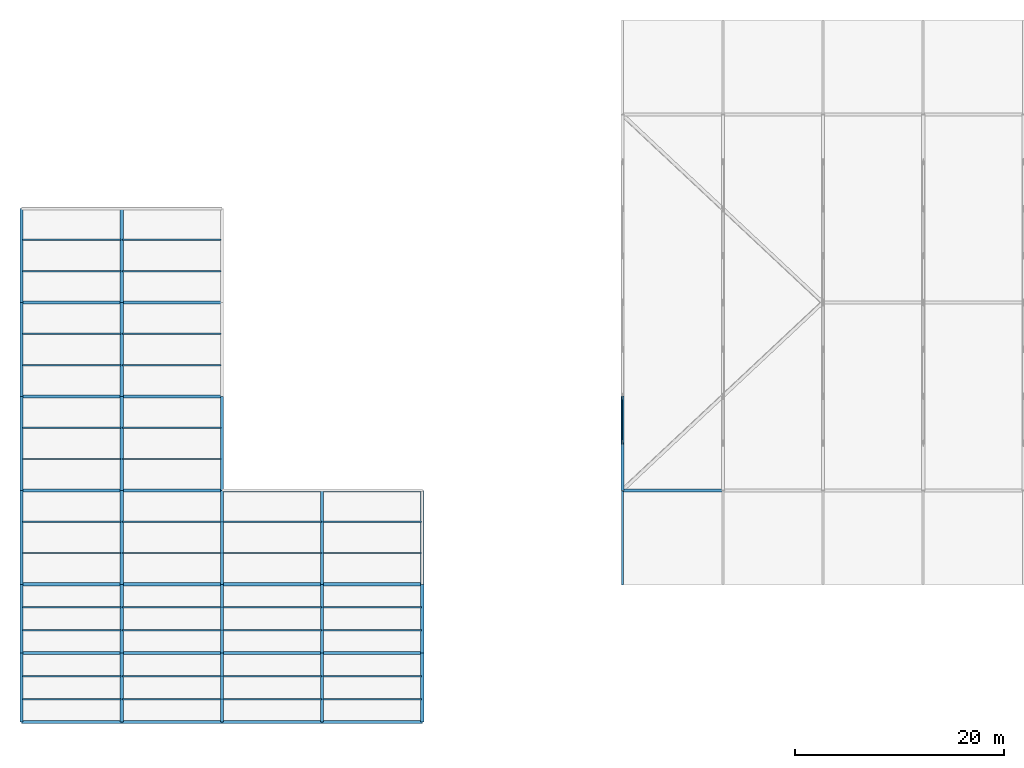
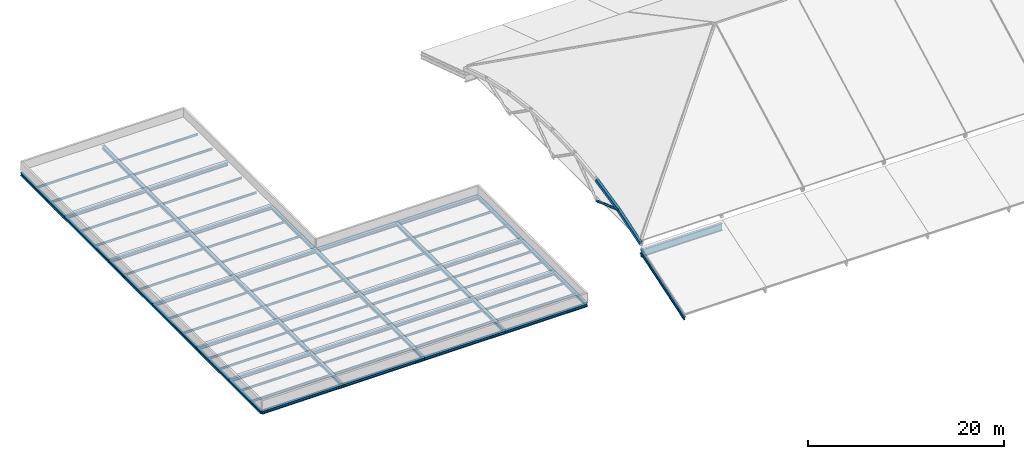
# One storey, part 1 of 16: 80 beams, 3 members.
"""IFC4 building model written with IfcOpenShell, lengths in metres."""

from ifc_helpers import new_model, si_unit, direction, frame, origin, origin_2d, place, context, subcontext, project, spatial, hollow_rectangle, hollow_circle, i_section, extrude, material, material_profile, profile_set, type_object, element, save


model = new_model("IFC4")

# Units and contexts
model_context = context("Model", 3, precision=1e-05, world=origin(), true_north=direction((0.0, 1.0)))
body_context = subcontext(model_context, "Body", "Model", "MODEL_VIEW")
ifc_project = project(units=[si_unit("LENGTHUNIT", "METRE"), si_unit("AREAUNIT", "SQUARE_METRE"), si_unit("VOLUMEUNIT", "CUBIC_METRE"), si_unit("PLANEANGLEUNIT", "RADIAN"), si_unit("MASSUNIT", "GRAM", prefix="KILO")], contexts=[model_context])

# Site, building, storey
site_placement = place(None, origin())
site = spatial("IfcSite", under=ifc_project, at=site_placement, CompositionType="ELEMENT")
building_placement = place(site_placement, origin())
building = spatial("IfcBuilding", under=site, at=building_placement, Name="Zarnetskaya Central Station", CompositionType="ELEMENT")
storey_placement = place(building_placement, frame((0.0, 0.0, 27.0)))
storey = spatial("IfcBuildingStorey", under=building, at=storey_placement, Name="RF", CompositionType="ELEMENT", Elevation=27.0)

# Beams
ifc_material = material(Name="Steel S355", Category="steel")
ifc_material_profile_1 = material_profile(ifc_material, i_section(OverallWidth=0.18994140625, OverallDepth=0.449951171875, WebThickness=0.009521484375, FlangeThickness=0.0146484375, FilletRadius=0.02099609375, at=origin_2d()), Name="IPE 450")
ifc_profile_set_1 = profile_set([ifc_material_profile_1], Name="Steel S355")
beam_type_1 = type_object("IfcBeamType", Name="BM-EAVE-RAKER", PredefinedType="BEAM", material=ifc_profile_set_1)
beam_1_placement = place(storey_placement, frame((57.60009765625, 13.199951171875, -16.85009765625), z_axis=(0.0, 0.951184133272, 0.308623953398), x_axis=(-1.0, 0.0, 0.0)))
element("IfcBeam", 1, at=beam_1_placement, inside=storey, type_object=beam_type_1, Name="Hall south eave raker G", PredefinedType="BEAM", context=body_context, shape_type="SweptSolid", body=[
    extrude(i_section(OverallWidth=0.18994140625, OverallDepth=0.449951171875, WebThickness=0.009521484375, FlangeThickness=0.0146484375, FilletRadius=0.02099609375, at=origin_2d()), origin(), (0.0, 0.0, 1.0), 9.4619140625),
])
ifc_material_profile_2 = material_profile(ifc_material, i_section(OverallWidth=0.135009765625, OverallDepth=0.27001953125, WebThickness=0.006591796875, FlangeThickness=0.01025390625, FilletRadius=0.014892578125, at=origin_2d()), Name="IPE 270")
ifc_profile_set_2 = profile_set([ifc_material_profile_2], Name="Steel S355")
beam_type_2 = type_object("IfcBeamType", Name="BM-JST-270", PredefinedType="JOIST", material=ifc_profile_set_2)
for number, where, z_axis, x_axis, name in (
    (2, (0.080078125, 2.199951171875, -0.344970703125), (1.0, 0.0, 0.0), (0.0, 1.0, 0.0), "Secondary floor beam SEC-RF-Z2679-AB-12-1"),
    (3, (0.080078125, 4.39990234375, -0.344970703125), (1.0, 0.0, 0.0), (0.0, 1.0, 0.0), "Secondary floor beam SEC-RF-Z2679-AB-12-2"),
    (4, (0.080078125, 8.800048828125, -0.344970703125), (1.0, 0.0, 0.0), (0.0, 1.0, 0.0), "Secondary floor beam SEC-RF-Z2679-AB-23-1"),
    (5, (0.080078125, 11.0, -0.344970703125), (1.0, 0.0, 0.0), (0.0, 1.0, 0.0), "Secondary floor beam SEC-RF-Z2679-AB-23-2"),
    (6, (0.080078125, 16.199951171875, -0.344970703125), (1.0, 0.0, 0.0), (0.0, 1.0, 0.0), "Secondary floor beam SEC-RF-Z2679-AB-34-1"),
    (7, (0.080078125, 19.199951171875, -0.344970703125), (1.0, 0.0, 0.0), (0.0, 1.0, 0.0), "Secondary floor beam SEC-RF-Z2679-AB-34-2"),
    (8, (0.080078125, 25.199951171875, -0.344970703125), (1.0, 0.0, 0.0), (0.0, 1.0, 0.0), "Secondary floor beam SEC-RF-Z2679-AB-45-1"),
    (9, (0.080078125, 28.199951171875, -0.344970703125), (1.0, 0.0, 0.0), (0.0, 1.0, 0.0), "Secondary floor beam SEC-RF-Z2679-AB-45-2"),
    (10, (0.080078125, 34.199951171875, -0.344970703125), (1.0, 0.0, 0.0), (0.0, 1.0, 0.0), "Secondary floor beam SEC-RF-Z2679-AB-56-1"),
    (11, (0.080078125, 37.199951171875, -0.344970703125), (1.0, 0.0, 0.0), (0.0, 1.0, 0.0), "Secondary floor beam SEC-RF-Z2679-AB-56-2"),
    (12, (0.080078125, 43.199951171875, -0.344970703125), (1.0, 0.0, 0.0), (0.0, 1.0, 0.0), "Secondary floor beam SEC-RF-Z2679-AB-67-1"),
    (13, (0.080078125, 46.199951171875, -0.344970703125), (1.0, 0.0, 0.0), (0.0, 1.0, 0.0), "Secondary floor beam SEC-RF-Z2679-AB-67-2"),
):
    element("IfcBeam", number, at=place(storey_placement, frame(where, z_axis=z_axis, x_axis=x_axis)), inside=storey, type_object=beam_type_2, Name=name, PredefinedType="JOIST", context=body_context, shape_type="SweptSolid", body=[
        extrude(i_section(OverallWidth=0.135009765625, OverallDepth=0.27001953125, WebThickness=0.006591796875, FlangeThickness=0.01025390625, FilletRadius=0.014892578125, at=origin_2d()), origin(), (0.0, 0.0, 1.0), 9.43994140625),
    ])
for number, where, z_axis, x_axis, name in (
    (14, (9.679931640625, 2.199951171875, -0.344970703125), (1.0, 0.0, 0.0), (0.0, 1.0, 0.0), "Secondary floor beam SEC-RF-Z2679-BC-12-1"),
    (15, (9.679931640625, 4.39990234375, -0.344970703125), (1.0, 0.0, 0.0), (0.0, 1.0, 0.0), "Secondary floor beam SEC-RF-Z2679-BC-12-2"),
    (16, (9.679931640625, 8.800048828125, -0.344970703125), (1.0, 0.0, 0.0), (0.0, 1.0, 0.0), "Secondary floor beam SEC-RF-Z2679-BC-23-1"),
    (17, (9.679931640625, 11.0, -0.344970703125), (1.0, 0.0, 0.0), (0.0, 1.0, 0.0), "Secondary floor beam SEC-RF-Z2679-BC-23-2"),
    (18, (9.679931640625, 16.199951171875, -0.344970703125), (1.0, 0.0, 0.0), (0.0, 1.0, 0.0), "Secondary floor beam SEC-RF-Z2679-BC-34-1"),
    (19, (9.679931640625, 19.199951171875, -0.344970703125), (1.0, 0.0, 0.0), (0.0, 1.0, 0.0), "Secondary floor beam SEC-RF-Z2679-BC-34-2"),
    (20, (9.679931640625, 25.199951171875, -0.344970703125), (1.0, 0.0, 0.0), (0.0, 1.0, 0.0), "Secondary floor beam SEC-RF-Z2679-BC-45-1"),
    (21, (9.679931640625, 28.199951171875, -0.344970703125), (1.0, 0.0, 0.0), (0.0, 1.0, 0.0), "Secondary floor beam SEC-RF-Z2679-BC-45-2"),
    (22, (9.679931640625, 34.199951171875, -0.344970703125), (1.0, 0.0, 0.0), (0.0, 1.0, 0.0), "Secondary floor beam SEC-RF-Z2679-BC-56-1"),
    (23, (9.679931640625, 37.199951171875, -0.344970703125), (1.0, 0.0, 0.0), (0.0, 1.0, 0.0), "Secondary floor beam SEC-RF-Z2679-BC-56-2"),
    (24, (9.679931640625, 43.199951171875, -0.344970703125), (1.0, 0.0, 0.0), (0.0, 1.0, 0.0), "Secondary floor beam SEC-RF-Z2679-BC-67-1"),
    (25, (9.679931640625, 46.199951171875, -0.344970703125), (1.0, 0.0, 0.0), (0.0, 1.0, 0.0), "Secondary floor beam SEC-RF-Z2679-BC-67-2"),
):
    element("IfcBeam", number, at=place(storey_placement, frame(where, z_axis=z_axis, x_axis=x_axis)), inside=storey, type_object=beam_type_2, Name=name, PredefinedType="JOIST", context=body_context, shape_type="SweptSolid", body=[
        extrude(i_section(OverallWidth=0.135009765625, OverallDepth=0.27001953125, WebThickness=0.006591796875, FlangeThickness=0.01025390625, FilletRadius=0.014892578125, at=origin_2d()), origin(), (0.0, 0.0, 1.0), 9.440185546875),
    ])
for number, where, z_axis, x_axis, name in (
    (26, (19.280029296875, 2.199951171875, -0.344970703125), (1.0, 0.0, 0.0), (0.0, 1.0, 0.0), "Secondary floor beam SEC-RF-Z2679-CD-12-1"),
    (27, (19.280029296875, 4.39990234375, -0.344970703125), (1.0, 0.0, 0.0), (0.0, 1.0, 0.0), "Secondary floor beam SEC-RF-Z2679-CD-12-2"),
    (28, (19.280029296875, 8.800048828125, -0.344970703125), (1.0, 0.0, 0.0), (0.0, 1.0, 0.0), "Secondary floor beam SEC-RF-Z2679-CD-23-1"),
    (29, (19.280029296875, 11.0, -0.344970703125), (1.0, 0.0, 0.0), (0.0, 1.0, 0.0), "Secondary floor beam SEC-RF-Z2679-CD-23-2"),
    (30, (19.280029296875, 16.199951171875, -0.344970703125), (1.0, 0.0, 0.0), (0.0, 1.0, 0.0), "Secondary floor beam SEC-RF-Z2679-CD-34-1"),
    (31, (19.280029296875, 19.199951171875, -0.344970703125), (1.0, 0.0, 0.0), (0.0, 1.0, 0.0), "Secondary floor beam SEC-RF-Z2679-CD-34-2"),
):
    element("IfcBeam", number, at=place(storey_placement, frame(where, z_axis=z_axis, x_axis=x_axis)), inside=storey, type_object=beam_type_2, Name=name, PredefinedType="JOIST", context=body_context, shape_type="SweptSolid", body=[
        extrude(i_section(OverallWidth=0.135009765625, OverallDepth=0.27001953125, WebThickness=0.006591796875, FlangeThickness=0.01025390625, FilletRadius=0.014892578125, at=origin_2d()), origin(), (0.0, 0.0, 1.0), 9.43994140625),
    ])
for number, where, z_axis, x_axis, name in (
    (32, (28.8798828125, 2.199951171875, -0.344970703125), (1.0, 0.0, 0.0), (0.0, 1.0, 0.0), "Secondary floor beam SEC-RF-Z2679-DE-12-1"),
    (33, (28.8798828125, 4.39990234375, -0.344970703125), (1.0, 0.0, 0.0), (0.0, 1.0, 0.0), "Secondary floor beam SEC-RF-Z2679-DE-12-2"),
    (34, (28.8798828125, 8.800048828125, -0.344970703125), (1.0, 0.0, 0.0), (0.0, 1.0, 0.0), "Secondary floor beam SEC-RF-Z2679-DE-23-1"),
    (35, (28.8798828125, 11.0, -0.344970703125), (1.0, 0.0, 0.0), (0.0, 1.0, 0.0), "Secondary floor beam SEC-RF-Z2679-DE-23-2"),
    (36, (28.8798828125, 16.199951171875, -0.344970703125), (1.0, 0.0, 0.0), (0.0, 1.0, 0.0), "Secondary floor beam SEC-RF-Z2679-DE-34-1"),
    (37, (28.8798828125, 19.199951171875, -0.344970703125), (1.0, 0.0, 0.0), (0.0, 1.0, 0.0), "Secondary floor beam SEC-RF-Z2679-DE-34-2"),
):
    element("IfcBeam", number, at=place(storey_placement, frame(where, z_axis=z_axis, x_axis=x_axis)), inside=storey, type_object=beam_type_2, Name=name, PredefinedType="JOIST", context=body_context, shape_type="SweptSolid", body=[
        extrude(i_section(OverallWidth=0.135009765625, OverallDepth=0.27001953125, WebThickness=0.006591796875, FlangeThickness=0.01025390625, FilletRadius=0.014892578125, at=origin_2d()), origin(), (0.0, 0.0, 1.0), 9.440185546875),
    ])
ifc_material_profile_3 = material_profile(ifc_material, i_section(OverallWidth=0.300048828125, OverallDepth=0.35009765625, WebThickness=0.010009765625, FlangeThickness=0.017578125, FilletRadius=0.027099609375, at=origin_2d()), Name="HEA 360")
ifc_profile_set_3 = profile_set([ifc_material_profile_3], Name="Steel S355")
beam_type_3 = type_object("IfcBeamType", Name="BM-SPN-EAVE", PredefinedType="SPANDREL", material=ifc_profile_set_3)
beam_2_placement = place(storey_placement, frame((0.0, 0.0, -0.385009765625), z_axis=(0.0, 1.0, 0.0), x_axis=(-1.0, 0.0, 0.0)))
element("IfcBeam", 38, at=beam_2_placement, inside=storey, type_object=beam_type_3, Name="Grid girder GY-RF-A-12", PredefinedType="SPANDREL", context=body_context, shape_type="SweptSolid", body=[
    extrude(i_section(OverallWidth=0.300048828125, OverallDepth=0.35009765625, WebThickness=0.010009765625, FlangeThickness=0.017578125, FilletRadius=0.027099609375, at=origin_2d()), origin(), (0.0, 0.0, 1.0), 6.60009765625),
])
beam_3_placement = place(storey_placement, frame((0.0, 0.0, -0.385009765625), z_axis=(1.0, 0.0, 0.0), x_axis=(0.0, 1.0, 0.0)))
element("IfcBeam", 39, at=beam_3_placement, inside=storey, type_object=beam_type_3, Name="Grid girder GX-RF-1-AB", PredefinedType="SPANDREL", context=body_context, shape_type="SweptSolid", body=[
    extrude(i_section(OverallWidth=0.300048828125, OverallDepth=0.35009765625, WebThickness=0.010009765625, FlangeThickness=0.017578125, FilletRadius=0.027099609375, at=origin_2d()), origin(), (0.0, 0.0, 1.0), 9.60009765625),
])
beam_4_placement = place(storey_placement, frame((0.0, 6.60009765625, -0.385009765625), z_axis=(0.0, 1.0, 0.0), x_axis=(-1.0, 0.0, 0.0)))
element("IfcBeam", 40, at=beam_4_placement, inside=storey, type_object=beam_type_3, Name="Grid girder GY-RF-A-23", PredefinedType="SPANDREL", context=body_context, shape_type="SweptSolid", body=[
    extrude(i_section(OverallWidth=0.300048828125, OverallDepth=0.35009765625, WebThickness=0.010009765625, FlangeThickness=0.017578125, FilletRadius=0.027099609375, at=origin_2d()), origin(), (0.0, 0.0, 1.0), 6.599853515625),
])
for number, where, z_axis, x_axis, name in (
    (41, (0.0, 13.199951171875, -0.385009765625), (0.0, 1.0, 0.0), (-1.0, 0.0, 0.0), "Grid girder GY-RF-A-34"),
    (42, (0.0, 22.199951171875, -0.385009765625), (0.0, 1.0, 0.0), (-1.0, 0.0, 0.0), "Grid girder GY-RF-A-45"),
    (43, (0.0, 31.199951171875, -0.385009765625), (0.0, 1.0, 0.0), (-1.0, 0.0, 0.0), "Grid girder GY-RF-A-56"),
    (44, (0.0, 40.199951171875, -0.385009765625), (0.0, 1.0, 0.0), (-1.0, 0.0, 0.0), "Grid girder GY-RF-A-67"),
):
    element("IfcBeam", number, at=place(storey_placement, frame(where, z_axis=z_axis, x_axis=x_axis)), inside=storey, type_object=beam_type_3, Name=name, PredefinedType="SPANDREL", context=body_context, shape_type="SweptSolid", body=[
        extrude(i_section(OverallWidth=0.300048828125, OverallDepth=0.35009765625, WebThickness=0.010009765625, FlangeThickness=0.017578125, FilletRadius=0.027099609375, at=origin_2d()), origin(), (0.0, 0.0, 1.0), 9.0),
    ])
beam_5_placement = place(storey_placement, frame((9.60009765625, 0.0, -0.385009765625), z_axis=(1.0, 0.0, 0.0), x_axis=(0.0, 1.0, 0.0)))
element("IfcBeam", 45, at=beam_5_placement, inside=storey, type_object=beam_type_3, Name="Grid girder GX-RF-1-BC", PredefinedType="SPANDREL", context=body_context, shape_type="SweptSolid", body=[
    extrude(i_section(OverallWidth=0.300048828125, OverallDepth=0.35009765625, WebThickness=0.010009765625, FlangeThickness=0.017578125, FilletRadius=0.027099609375, at=origin_2d()), origin(), (0.0, 0.0, 1.0), 9.599853515625),
])
beam_6_placement = place(storey_placement, frame((19.199951171875, 0.0, -0.385009765625), z_axis=(1.0, 0.0, 0.0), x_axis=(0.0, 1.0, 0.0)))
element("IfcBeam", 46, at=beam_6_placement, inside=storey, type_object=beam_type_3, Name="Grid girder GX-RF-1-CD", PredefinedType="SPANDREL", context=body_context, shape_type="SweptSolid", body=[
    extrude(i_section(OverallWidth=0.300048828125, OverallDepth=0.35009765625, WebThickness=0.010009765625, FlangeThickness=0.017578125, FilletRadius=0.027099609375, at=origin_2d()), origin(), (0.0, 0.0, 1.0), 9.60009765625),
])
beam_7_placement = place(storey_placement, frame((28.800048828125, 0.0, -0.385009765625), z_axis=(1.0, 0.0, 0.0), x_axis=(0.0, 1.0, 0.0)))
element("IfcBeam", 47, at=beam_7_placement, inside=storey, type_object=beam_type_3, Name="Grid girder GX-RF-1-DE", PredefinedType="SPANDREL", context=body_context, shape_type="SweptSolid", body=[
    extrude(i_section(OverallWidth=0.300048828125, OverallDepth=0.35009765625, WebThickness=0.010009765625, FlangeThickness=0.017578125, FilletRadius=0.027099609375, at=origin_2d()), origin(), (0.0, 0.0, 1.0), 9.599853515625),
])
ifc_material_profile_4 = material_profile(ifc_material, i_section(OverallWidth=0.300048828125, OverallDepth=0.89990234375, WebThickness=0.0185546875, FlangeThickness=0.034912109375, FilletRadius=0.030029296875, at=origin_2d()), Name="HEB 900")
ifc_profile_set_4 = profile_set([ifc_material_profile_4], Name="Steel S355")
beam_type_4 = type_object("IfcBeamType", Name="GD-HALL-RING", PredefinedType="USERDEFINED", material=ifc_profile_set_4)
beam_8_placement = place(storey_placement, frame((57.60009765625, 22.199951171875, -14.1298828125), z_axis=(1.0, 0.0, 0.0), x_axis=(0.0, 1.0, 0.0)))
element("IfcBeam", 48, at=beam_8_placement, inside=storey, type_object=beam_type_4, Name="Hall south ring girder GD-RING-S-GH", ObjectType="GIRDER", PredefinedType="USERDEFINED", context=body_context, shape_type="SweptSolid", body=[
    extrude(i_section(OverallWidth=0.300048828125, OverallDepth=0.89990234375, WebThickness=0.0185546875, FlangeThickness=0.034912109375, FilletRadius=0.030029296875, at=origin_2d()), origin(), (0.0, 0.0, 1.0), 9.599853515625),
])
ifc_material_profile_5 = material_profile(ifc_material, i_section(OverallWidth=0.300048828125, OverallDepth=0.389892578125, WebThickness=0.010986328125, FlangeThickness=0.01904296875, FilletRadius=0.027099609375, at=origin_2d()), Name="HEA 400")
ifc_profile_set_5 = profile_set([ifc_material_profile_5], Name="Steel S355")
beam_type_5 = type_object("IfcBeamType", Name="GD-ROOF-400", PredefinedType="USERDEFINED", material=ifc_profile_set_5)
for number, where, z_axis, x_axis, name in (
    (49, (0.0, 6.60009765625, -0.405029296875), (1.0, 0.0, 0.0), (0.0, 1.0, 0.0), "Grid girder GX-RF-2-AB"),
    (50, (0.0, 13.199951171875, -0.405029296875), (1.0, 0.0, 0.0), (0.0, 1.0, 0.0), "Grid girder GX-RF-3-AB"),
    (51, (0.0, 22.199951171875, -0.405029296875), (1.0, 0.0, 0.0), (0.0, 1.0, 0.0), "Grid girder GX-RF-4-AB"),
    (52, (0.0, 31.199951171875, -0.405029296875), (1.0, 0.0, 0.0), (0.0, 1.0, 0.0), "Grid girder GX-RF-5-AB"),
    (53, (0.0, 40.199951171875, -0.405029296875), (1.0, 0.0, 0.0), (0.0, 1.0, 0.0), "Grid girder GX-RF-6-AB"),
):
    element("IfcBeam", number, at=place(storey_placement, frame(where, z_axis=z_axis, x_axis=x_axis)), inside=storey, type_object=beam_type_5, Name=name, ObjectType="GIRDER", PredefinedType="USERDEFINED", context=body_context, shape_type="SweptSolid", body=[
        extrude(i_section(OverallWidth=0.300048828125, OverallDepth=0.389892578125, WebThickness=0.010986328125, FlangeThickness=0.01904296875, FilletRadius=0.027099609375, at=origin_2d()), origin(), (0.0, 0.0, 1.0), 9.60009765625),
    ])
beam_9_placement = place(storey_placement, frame((9.60009765625, 0.0, -0.405029296875), z_axis=(0.0, 1.0, 0.0), x_axis=(-1.0, 0.0, 0.0)))
element("IfcBeam", 54, at=beam_9_placement, inside=storey, type_object=beam_type_5, Name="Grid girder GY-RF-B-12", ObjectType="GIRDER", PredefinedType="USERDEFINED", context=body_context, shape_type="SweptSolid", body=[
    extrude(i_section(OverallWidth=0.300048828125, OverallDepth=0.389892578125, WebThickness=0.010986328125, FlangeThickness=0.01904296875, FilletRadius=0.027099609375, at=origin_2d()), origin(), (0.0, 0.0, 1.0), 6.60009765625),
])
beam_10_placement = place(storey_placement, frame((9.60009765625, 6.60009765625, -0.405029296875), z_axis=(0.0, 1.0, 0.0), x_axis=(-1.0, 0.0, 0.0)))
element("IfcBeam", 55, at=beam_10_placement, inside=storey, type_object=beam_type_5, Name="Grid girder GY-RF-B-23", ObjectType="GIRDER", PredefinedType="USERDEFINED", context=body_context, shape_type="SweptSolid", body=[
    extrude(i_section(OverallWidth=0.300048828125, OverallDepth=0.389892578125, WebThickness=0.010986328125, FlangeThickness=0.01904296875, FilletRadius=0.027099609375, at=origin_2d()), origin(), (0.0, 0.0, 1.0), 6.599853515625),
])
beam_11_placement = place(storey_placement, frame((9.60009765625, 6.60009765625, -0.405029296875), z_axis=(1.0, 0.0, 0.0), x_axis=(0.0, 1.0, 0.0)))
element("IfcBeam", 56, at=beam_11_placement, inside=storey, type_object=beam_type_5, Name="Grid girder GX-RF-2-BC", ObjectType="GIRDER", PredefinedType="USERDEFINED", context=body_context, shape_type="SweptSolid", body=[
    extrude(i_section(OverallWidth=0.300048828125, OverallDepth=0.389892578125, WebThickness=0.010986328125, FlangeThickness=0.01904296875, FilletRadius=0.027099609375, at=origin_2d()), origin(), (0.0, 0.0, 1.0), 9.599853515625),
])
beam_12_placement = place(storey_placement, frame((9.60009765625, 13.199951171875, -0.405029296875), z_axis=(0.0, 1.0, 0.0), x_axis=(-1.0, 0.0, 0.0)))
element("IfcBeam", 57, at=beam_12_placement, inside=storey, type_object=beam_type_5, Name="Grid girder GY-RF-B-34", ObjectType="GIRDER", PredefinedType="USERDEFINED", context=body_context, shape_type="SweptSolid", body=[
    extrude(i_section(OverallWidth=0.300048828125, OverallDepth=0.389892578125, WebThickness=0.010986328125, FlangeThickness=0.01904296875, FilletRadius=0.027099609375, at=origin_2d()), origin(), (0.0, 0.0, 1.0), 9.0),
])
beam_13_placement = place(storey_placement, frame((9.60009765625, 13.199951171875, -0.405029296875), z_axis=(1.0, 0.0, 0.0), x_axis=(0.0, 1.0, 0.0)))
element("IfcBeam", 58, at=beam_13_placement, inside=storey, type_object=beam_type_5, Name="Grid girder GX-RF-3-BC", ObjectType="GIRDER", PredefinedType="USERDEFINED", context=body_context, shape_type="SweptSolid", body=[
    extrude(i_section(OverallWidth=0.300048828125, OverallDepth=0.389892578125, WebThickness=0.010986328125, FlangeThickness=0.01904296875, FilletRadius=0.027099609375, at=origin_2d()), origin(), (0.0, 0.0, 1.0), 9.599853515625),
])
beam_14_placement = place(storey_placement, frame((9.60009765625, 22.199951171875, -0.405029296875), z_axis=(0.0, 1.0, 0.0), x_axis=(-1.0, 0.0, 0.0)))
element("IfcBeam", 59, at=beam_14_placement, inside=storey, type_object=beam_type_5, Name="Grid girder GY-RF-B-45", ObjectType="GIRDER", PredefinedType="USERDEFINED", context=body_context, shape_type="SweptSolid", body=[
    extrude(i_section(OverallWidth=0.300048828125, OverallDepth=0.389892578125, WebThickness=0.010986328125, FlangeThickness=0.01904296875, FilletRadius=0.027099609375, at=origin_2d()), origin(), (0.0, 0.0, 1.0), 9.0),
])
beam_15_placement = place(storey_placement, frame((9.60009765625, 22.199951171875, -0.405029296875), z_axis=(1.0, 0.0, 0.0), x_axis=(0.0, 1.0, 0.0)))
element("IfcBeam", 60, at=beam_15_placement, inside=storey, type_object=beam_type_5, Name="Grid girder GX-RF-4-BC", ObjectType="GIRDER", PredefinedType="USERDEFINED", context=body_context, shape_type="SweptSolid", body=[
    extrude(i_section(OverallWidth=0.300048828125, OverallDepth=0.389892578125, WebThickness=0.010986328125, FlangeThickness=0.01904296875, FilletRadius=0.027099609375, at=origin_2d()), origin(), (0.0, 0.0, 1.0), 9.599853515625),
])
beam_16_placement = place(storey_placement, frame((9.60009765625, 31.199951171875, -0.405029296875), z_axis=(0.0, 1.0, 0.0), x_axis=(-1.0, 0.0, 0.0)))
element("IfcBeam", 61, at=beam_16_placement, inside=storey, type_object=beam_type_5, Name="Grid girder GY-RF-B-56", ObjectType="GIRDER", PredefinedType="USERDEFINED", context=body_context, shape_type="SweptSolid", body=[
    extrude(i_section(OverallWidth=0.300048828125, OverallDepth=0.389892578125, WebThickness=0.010986328125, FlangeThickness=0.01904296875, FilletRadius=0.027099609375, at=origin_2d()), origin(), (0.0, 0.0, 1.0), 9.0),
])
beam_17_placement = place(storey_placement, frame((9.60009765625, 31.199951171875, -0.405029296875), z_axis=(1.0, 0.0, 0.0), x_axis=(0.0, 1.0, 0.0)))
element("IfcBeam", 62, at=beam_17_placement, inside=storey, type_object=beam_type_5, Name="Grid girder GX-RF-5-BC", ObjectType="GIRDER", PredefinedType="USERDEFINED", context=body_context, shape_type="SweptSolid", body=[
    extrude(i_section(OverallWidth=0.300048828125, OverallDepth=0.389892578125, WebThickness=0.010986328125, FlangeThickness=0.01904296875, FilletRadius=0.027099609375, at=origin_2d()), origin(), (0.0, 0.0, 1.0), 9.599853515625),
])
beam_18_placement = place(storey_placement, frame((9.60009765625, 40.199951171875, -0.405029296875), z_axis=(0.0, 1.0, 0.0), x_axis=(-1.0, 0.0, 0.0)))
element("IfcBeam", 63, at=beam_18_placement, inside=storey, type_object=beam_type_5, Name="Grid girder GY-RF-B-67", ObjectType="GIRDER", PredefinedType="USERDEFINED", context=body_context, shape_type="SweptSolid", body=[
    extrude(i_section(OverallWidth=0.300048828125, OverallDepth=0.389892578125, WebThickness=0.010986328125, FlangeThickness=0.01904296875, FilletRadius=0.027099609375, at=origin_2d()), origin(), (0.0, 0.0, 1.0), 9.0),
])
beam_19_placement = place(storey_placement, frame((9.60009765625, 40.199951171875, -0.405029296875), z_axis=(1.0, 0.0, 0.0), x_axis=(0.0, 1.0, 0.0)))
element("IfcBeam", 64, at=beam_19_placement, inside=storey, type_object=beam_type_5, Name="Grid girder GX-RF-6-BC", ObjectType="GIRDER", PredefinedType="USERDEFINED", context=body_context, shape_type="SweptSolid", body=[
    extrude(i_section(OverallWidth=0.300048828125, OverallDepth=0.389892578125, WebThickness=0.010986328125, FlangeThickness=0.01904296875, FilletRadius=0.027099609375, at=origin_2d()), origin(), (0.0, 0.0, 1.0), 9.599853515625),
])
beam_20_placement = place(storey_placement, frame((19.199951171875, 0.0, -0.405029296875), z_axis=(0.0, 1.0, 0.0), x_axis=(-1.0, 0.0, 0.0)))
element("IfcBeam", 65, at=beam_20_placement, inside=storey, type_object=beam_type_5, Name="Grid girder GY-RF-C-12", ObjectType="GIRDER", PredefinedType="USERDEFINED", context=body_context, shape_type="SweptSolid", body=[
    extrude(i_section(OverallWidth=0.300048828125, OverallDepth=0.389892578125, WebThickness=0.010986328125, FlangeThickness=0.01904296875, FilletRadius=0.027099609375, at=origin_2d()), origin(), (0.0, 0.0, 1.0), 6.60009765625),
])
beam_21_placement = place(storey_placement, frame((19.199951171875, 6.60009765625, -0.405029296875), z_axis=(0.0, 1.0, 0.0), x_axis=(-1.0, 0.0, 0.0)))
element("IfcBeam", 66, at=beam_21_placement, inside=storey, type_object=beam_type_5, Name="Grid girder GY-RF-C-23", ObjectType="GIRDER", PredefinedType="USERDEFINED", context=body_context, shape_type="SweptSolid", body=[
    extrude(i_section(OverallWidth=0.300048828125, OverallDepth=0.389892578125, WebThickness=0.010986328125, FlangeThickness=0.01904296875, FilletRadius=0.027099609375, at=origin_2d()), origin(), (0.0, 0.0, 1.0), 6.599853515625),
])
beam_22_placement = place(storey_placement, frame((19.199951171875, 6.60009765625, -0.405029296875), z_axis=(1.0, 0.0, 0.0), x_axis=(0.0, 1.0, 0.0)))
element("IfcBeam", 67, at=beam_22_placement, inside=storey, type_object=beam_type_5, Name="Grid girder GX-RF-2-CD", ObjectType="GIRDER", PredefinedType="USERDEFINED", context=body_context, shape_type="SweptSolid", body=[
    extrude(i_section(OverallWidth=0.300048828125, OverallDepth=0.389892578125, WebThickness=0.010986328125, FlangeThickness=0.01904296875, FilletRadius=0.027099609375, at=origin_2d()), origin(), (0.0, 0.0, 1.0), 9.60009765625),
])
beam_23_placement = place(storey_placement, frame((19.199951171875, 13.199951171875, -0.405029296875), z_axis=(0.0, 1.0, 0.0), x_axis=(-1.0, 0.0, 0.0)))
element("IfcBeam", 68, at=beam_23_placement, inside=storey, type_object=beam_type_5, Name="Grid girder GY-RF-C-34", ObjectType="GIRDER", PredefinedType="USERDEFINED", context=body_context, shape_type="SweptSolid", body=[
    extrude(i_section(OverallWidth=0.300048828125, OverallDepth=0.389892578125, WebThickness=0.010986328125, FlangeThickness=0.01904296875, FilletRadius=0.027099609375, at=origin_2d()), origin(), (0.0, 0.0, 1.0), 9.0),
])
beam_24_placement = place(storey_placement, frame((19.199951171875, 13.199951171875, -0.405029296875), z_axis=(1.0, 0.0, 0.0), x_axis=(0.0, 1.0, 0.0)))
element("IfcBeam", 69, at=beam_24_placement, inside=storey, type_object=beam_type_5, Name="Grid girder GX-RF-3-CD", ObjectType="GIRDER", PredefinedType="USERDEFINED", context=body_context, shape_type="SweptSolid", body=[
    extrude(i_section(OverallWidth=0.300048828125, OverallDepth=0.389892578125, WebThickness=0.010986328125, FlangeThickness=0.01904296875, FilletRadius=0.027099609375, at=origin_2d()), origin(), (0.0, 0.0, 1.0), 9.60009765625),
])
beam_25_placement = place(storey_placement, frame((19.199951171875, 22.199951171875, -0.405029296875), z_axis=(0.0, 1.0, 0.0), x_axis=(-1.0, 0.0, 0.0)))
element("IfcBeam", 70, at=beam_25_placement, inside=storey, type_object=beam_type_5, Name="Grid girder GY-RF-C-45", ObjectType="GIRDER", PredefinedType="USERDEFINED", context=body_context, shape_type="SweptSolid", body=[
    extrude(i_section(OverallWidth=0.300048828125, OverallDepth=0.389892578125, WebThickness=0.010986328125, FlangeThickness=0.01904296875, FilletRadius=0.027099609375, at=origin_2d()), origin(), (0.0, 0.0, 1.0), 9.0),
])
beam_26_placement = place(storey_placement, frame((19.199951171875, 22.199951171875, -0.405029296875), z_axis=(1.0, 0.0, 0.0), x_axis=(0.0, 1.0, 0.0)))
element("IfcBeam", 71, at=beam_26_placement, inside=storey, type_object=beam_type_5, Name="Grid girder GX-RF-4-CD", ObjectType="GIRDER", PredefinedType="USERDEFINED", context=body_context, shape_type="SweptSolid", body=[
    extrude(i_section(OverallWidth=0.300048828125, OverallDepth=0.389892578125, WebThickness=0.010986328125, FlangeThickness=0.01904296875, FilletRadius=0.027099609375, at=origin_2d()), origin(), (0.0, 0.0, 1.0), 9.60009765625),
])
beam_27_placement = place(storey_placement, frame((28.800048828125, 0.0, -0.405029296875), z_axis=(0.0, 1.0, 0.0), x_axis=(-1.0, 0.0, 0.0)))
element("IfcBeam", 72, at=beam_27_placement, inside=storey, type_object=beam_type_5, Name="Grid girder GY-RF-D-12", ObjectType="GIRDER", PredefinedType="USERDEFINED", context=body_context, shape_type="SweptSolid", body=[
    extrude(i_section(OverallWidth=0.300048828125, OverallDepth=0.389892578125, WebThickness=0.010986328125, FlangeThickness=0.01904296875, FilletRadius=0.027099609375, at=origin_2d()), origin(), (0.0, 0.0, 1.0), 6.60009765625),
])
beam_28_placement = place(storey_placement, frame((28.800048828125, 6.60009765625, -0.405029296875), z_axis=(0.0, 1.0, 0.0), x_axis=(-1.0, 0.0, 0.0)))
element("IfcBeam", 73, at=beam_28_placement, inside=storey, type_object=beam_type_5, Name="Grid girder GY-RF-D-23", ObjectType="GIRDER", PredefinedType="USERDEFINED", context=body_context, shape_type="SweptSolid", body=[
    extrude(i_section(OverallWidth=0.300048828125, OverallDepth=0.389892578125, WebThickness=0.010986328125, FlangeThickness=0.01904296875, FilletRadius=0.027099609375, at=origin_2d()), origin(), (0.0, 0.0, 1.0), 6.599853515625),
])
beam_29_placement = place(storey_placement, frame((28.800048828125, 6.60009765625, -0.405029296875), z_axis=(1.0, 0.0, 0.0), x_axis=(0.0, 1.0, 0.0)))
element("IfcBeam", 74, at=beam_29_placement, inside=storey, type_object=beam_type_5, Name="Grid girder GX-RF-2-DE", ObjectType="GIRDER", PredefinedType="USERDEFINED", context=body_context, shape_type="SweptSolid", body=[
    extrude(i_section(OverallWidth=0.300048828125, OverallDepth=0.389892578125, WebThickness=0.010986328125, FlangeThickness=0.01904296875, FilletRadius=0.027099609375, at=origin_2d()), origin(), (0.0, 0.0, 1.0), 9.599853515625),
])
beam_30_placement = place(storey_placement, frame((28.800048828125, 13.199951171875, -0.405029296875), z_axis=(0.0, 1.0, 0.0), x_axis=(-1.0, 0.0, 0.0)))
element("IfcBeam", 75, at=beam_30_placement, inside=storey, type_object=beam_type_5, Name="Grid girder GY-RF-D-34", ObjectType="GIRDER", PredefinedType="USERDEFINED", context=body_context, shape_type="SweptSolid", body=[
    extrude(i_section(OverallWidth=0.300048828125, OverallDepth=0.389892578125, WebThickness=0.010986328125, FlangeThickness=0.01904296875, FilletRadius=0.027099609375, at=origin_2d()), origin(), (0.0, 0.0, 1.0), 9.0),
])
for number, where, z_axis, x_axis, name in (
    (76, (28.800048828125, 13.199951171875, -0.405029296875), (1.0, 0.0, 0.0), (0.0, 1.0, 0.0), "Grid girder GX-RF-3-DE"),
    (77, (28.800048828125, 22.199951171875, -0.405029296875), (1.0, 0.0, 0.0), (0.0, 1.0, 0.0), "Grid girder GX-RF-4-DE"),
):
    element("IfcBeam", number, at=place(storey_placement, frame(where, z_axis=z_axis, x_axis=x_axis)), inside=storey, type_object=beam_type_5, Name=name, ObjectType="GIRDER", PredefinedType="USERDEFINED", context=body_context, shape_type="SweptSolid", body=[
        extrude(i_section(OverallWidth=0.300048828125, OverallDepth=0.389892578125, WebThickness=0.010986328125, FlangeThickness=0.01904296875, FilletRadius=0.027099609375, at=origin_2d()), origin(), (0.0, 0.0, 1.0), 9.599853515625),
    ])
beam_31_placement = place(storey_placement, frame((38.39990234375, 0.0, -0.405029296875), z_axis=(0.0, 1.0, 0.0), x_axis=(-1.0, 0.0, 0.0)))
element("IfcBeam", 78, at=beam_31_placement, inside=storey, type_object=beam_type_5, Name="Grid girder GY-RF-E-12", ObjectType="GIRDER", PredefinedType="USERDEFINED", context=body_context, shape_type="SweptSolid", body=[
    extrude(i_section(OverallWidth=0.300048828125, OverallDepth=0.389892578125, WebThickness=0.010986328125, FlangeThickness=0.01904296875, FilletRadius=0.027099609375, at=origin_2d()), origin(), (0.0, 0.0, 1.0), 6.60009765625),
])
beam_32_placement = place(storey_placement, frame((38.39990234375, 6.60009765625, -0.405029296875), z_axis=(0.0, 1.0, 0.0), x_axis=(-1.0, 0.0, 0.0)))
element("IfcBeam", 79, at=beam_32_placement, inside=storey, type_object=beam_type_5, Name="Grid girder GY-RF-E-23", ObjectType="GIRDER", PredefinedType="USERDEFINED", context=body_context, shape_type="SweptSolid", body=[
    extrude(i_section(OverallWidth=0.300048828125, OverallDepth=0.389892578125, WebThickness=0.010986328125, FlangeThickness=0.01904296875, FilletRadius=0.027099609375, at=origin_2d()), origin(), (0.0, 0.0, 1.0), 6.599853515625),
])
beam_33_placement = place(storey_placement, frame((38.39990234375, 13.199951171875, -0.405029296875), z_axis=(0.0, 1.0, 0.0), x_axis=(-1.0, 0.0, 0.0)))
element("IfcBeam", 80, at=beam_33_placement, inside=storey, type_object=beam_type_5, Name="Grid girder GY-RF-E-34", ObjectType="GIRDER", PredefinedType="USERDEFINED", context=body_context, shape_type="SweptSolid", body=[
    extrude(i_section(OverallWidth=0.300048828125, OverallDepth=0.389892578125, WebThickness=0.010986328125, FlangeThickness=0.01904296875, FilletRadius=0.027099609375, at=origin_2d()), origin(), (0.0, 0.0, 1.0), 9.0),
])

# Members
ifc_material_profile_6 = material_profile(ifc_material, hollow_rectangle(XDim=0.300048828125, YDim=0.39990234375, WallThickness=0.01611328125, at=origin_2d()), Name="RHS 400x300x16")
ifc_profile_set_6 = profile_set([ifc_material_profile_6], Name="Steel S355")
member_type_1 = type_object("IfcMemberType", Name="MB-ARCH-CHORD", PredefinedType="CHORD", material=ifc_profile_set_6)
member_1_placement = place(storey_placement, frame((57.60009765625, 22.199951171875, -12.89990234375), z_axis=(0.0, 0.952936643217, 0.303169513662), x_axis=(-1.0, 0.0, 0.0)))
element("IfcMember", 81, at=member_1_placement, inside=storey, type_object=member_type_1, Name="ROOF TRUSS RT-01 arched chord 1", PredefinedType="CHORD", context=body_context, shape_type="SweptSolid", body=[
    extrude(hollow_rectangle(XDim=0.300048828125, YDim=0.39990234375, WallThickness=0.01611328125, at=origin_2d()), origin(), (0.0, 0.0, 1.0), 4.72216796875),
])
member_2_placement = place(storey_placement, frame((57.60009765625, 26.699951171875, -11.46826171875), z_axis=(0.0, 0.976265510247, 0.21657713061), x_axis=(-1.0, 0.0, 0.0)))
element("IfcMember", 82, at=member_2_placement, inside=storey, type_object=member_type_1, Name="ROOF TRUSS RT-01 arched chord 2", PredefinedType="CHORD", context=body_context, shape_type="SweptSolid", body=[
    extrude(hollow_rectangle(XDim=0.300048828125, YDim=0.39990234375, WallThickness=0.01611328125, at=origin_2d()), origin(), (0.0, 0.0, 1.0), 4.609375),
])
ifc_material_profile_7 = material_profile(ifc_material, hollow_circle(Radius=0.136474609375, WallThickness=0.012451171875, at=origin_2d()), Name="CHS 273x12.5")
ifc_profile_set_7 = profile_set([ifc_material_profile_7], Name="Steel S355")
member_type_2 = type_object("IfcMemberType", Name="MB-WEB-DIAG", PredefinedType="BRACE", material=ifc_profile_set_7)
member_3_placement = place(storey_placement, frame((57.60009765625, 31.199951171875, -13.050048828125), z_axis=(0.0, -0.943413839024, 0.331617744305), x_axis=(1.0, 0.0, 0.0)))
element("IfcMember", 83, at=member_3_placement, inside=storey, type_object=member_type_2, Name="ROOF TRUSS RT-01 diagonal web 2", PredefinedType="BRACE", context=body_context, shape_type="SweptSolid", body=[
    extrude(hollow_circle(Radius=0.136474609375, WallThickness=0.012451171875, at=origin_2d()), origin(), (0.0, 0.0, 1.0), 4.77001953125),
])

save(model, "model.ifc")
